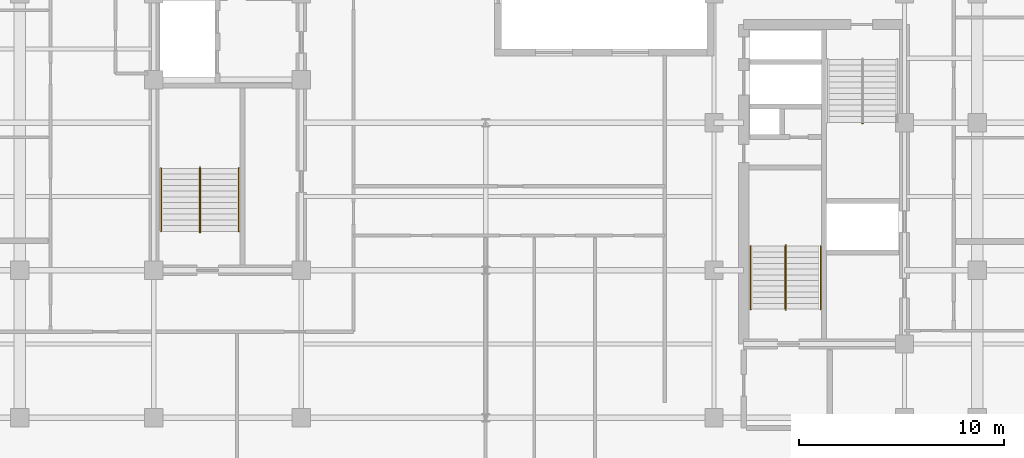
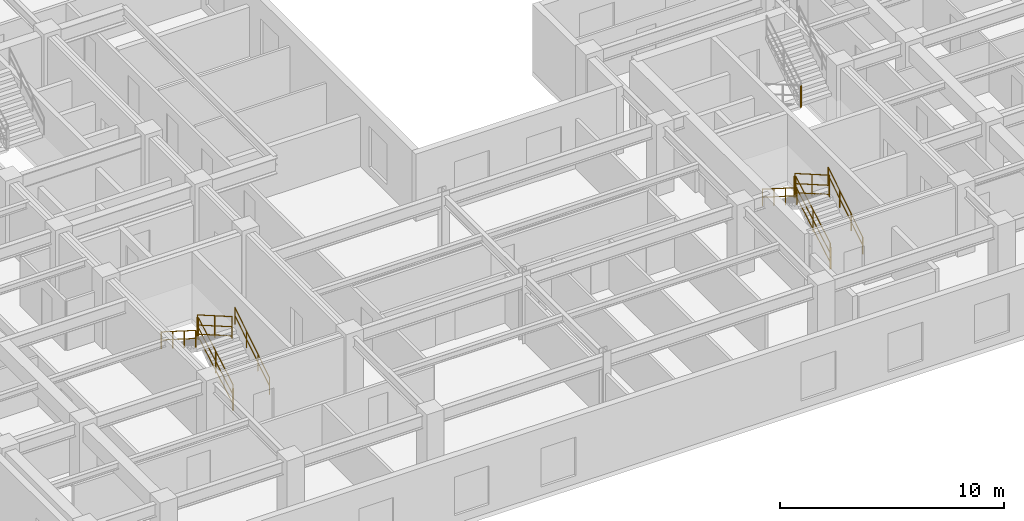
# One storey, part 9 of 11: 13 railings.
"""IFC4 building model written with IfcOpenShell, lengths in metres."""

from ifc_helpers import new_model, entity, si_unit, converted_unit, direction, frame, origin_with_axes, origin_2d_with_axis, place, context, subcontext, project, spatial, rectangle, circle, extrude, material, type_object, element, save


model = new_model("IFC4")

# Units and contexts
model_context = context("Model", 3, precision=1e-05, world=origin_with_axes(), true_north=direction((0.0, 1.0)))
body_context = subcontext(model_context, "Body", "Model", "MODEL_VIEW")
ifc_project = project(units=[si_unit("LENGTHUNIT", "METRE"), si_unit("AREAUNIT", "SQUARE_METRE"), si_unit("VOLUMEUNIT", "CUBIC_METRE"), converted_unit("PLANEANGLEUNIT", "DEGREE", entity("IfcPlaneAngleMeasure", 0.017453292519943295), si_unit("PLANEANGLEUNIT", "RADIAN"), dimensions=[0, 0, 0, 0, 0, 0, 0]), si_unit("MASSUNIT", "GRAM", prefix="KILO"), si_unit("THERMODYNAMICTEMPERATUREUNIT", "KELVIN")], contexts=[model_context])

# Site, building, storey
site_placement = place(None, origin_with_axes())
site = spatial("IfcSite", under=ifc_project, at=site_placement, CompositionType="ELEMENT")
building_placement = place(site_placement, origin_with_axes())
building = spatial("IfcBuilding", under=site, at=building_placement, Name="Varnlund Millrace Tower", CompositionType="ELEMENT")
storey_placement = place(building_placement, frame((0.0, 0.0, 196.5), z_axis=(0.0, 0.0, 1.0), x_axis=(1.0, 0.0, 0.0)))
storey = spatial("IfcBuildingStorey", under=building, at=storey_placement, Name="L48", CompositionType="ELEMENT", Elevation=196.5)

# Railings
ifc_material_1 = material(Name="Painted steel stair well balustrade guard", Category="steel")
railing_type_1 = type_object("IfcRailingType", Name="Type-StairGuard-1150", PredefinedType="GUARDRAIL", material=ifc_material_1)
railing_1_placement = place(storey_placement, frame((0.0, 0.0, -196.5), z_axis=(0.0, 0.0, 1.0), x_axis=(1.0, 0.0, 0.0)))
element("IfcRailing", 1, at=railing_1_placement, inside=storey, type_object=railing_type_1, Name="Type-StairGuard-1150", PredefinedType="GUARDRAIL", context=body_context, shape_type="SweptSolid", body=[
    extrude(circle(Radius=0.024, at=origin_2d_with_axis()), frame((13.675, 12.7, 197.827273), z_axis=(0.0, 0.866696, 0.498836), x_axis=(-1.0, 0.0, 0.0)), (0.0, 0.0, 1.0), 3.553725),
    extrude(circle(Radius=0.024, at=origin_2d_with_axis()), frame((13.675, 12.7, 196.777273), z_axis=(0.0, 0.866696, 0.498836), x_axis=(-1.0, 0.0, 0.0)), (0.0, 0.0, 1.0), 3.553725),
    extrude(circle(Radius=0.024, at=origin_2d_with_axis()), frame((13.675, 12.7, 197.275273), z_axis=(0.0, 0.866696, 0.498836), x_axis=(-1.0, 0.0, 0.0)), (0.0, 0.0, 1.0), 3.553725),
    extrude(rectangle(XDim=0.04, YDim=0.04, at=origin_2d_with_axis()), frame((13.675, 12.7, 196.637273), z_axis=(0.0, 0.0, 1.0), x_axis=(1.0, 0.0, 0.0)), (0.0, 0.0, 1.0), 1.19),
    extrude(rectangle(XDim=0.04, YDim=0.04, at=origin_2d_with_axis()), frame((13.675, 14.24, 197.523637), z_axis=(0.0, 0.0, 1.0), x_axis=(1.0, 0.0, 0.0)), (0.0, 0.0, 1.0), 1.19),
    extrude(rectangle(XDim=0.04, YDim=0.04, at=origin_2d_with_axis()), frame((13.675, 15.78, 198.41), z_axis=(0.0, 0.0, 1.0), x_axis=(1.0, 0.0, 0.0)), (0.0, 0.0, 1.0), 1.19),
])
railing_2_placement = place(storey_placement, frame((0.0, 0.0, -196.5), z_axis=(0.0, 0.0, 1.0), x_axis=(1.0, 0.0, 0.0)))
element("IfcRailing", 2, at=railing_2_placement, inside=storey, type_object=railing_type_1, Name="Type-StairGuard-1150", PredefinedType="GUARDRAIL", context=body_context, shape_type="SweptSolid", body=[
    extrude(circle(Radius=0.024, at=origin_2d_with_axis()), frame((13.625, 15.83, 199.6), z_axis=(1.0, 0.0, 0.0), x_axis=(0.0, 1.0, 0.0)), (0.0, 0.0, 1.0), 0.05),
    extrude(circle(Radius=0.024, at=origin_2d_with_axis()), frame((13.625, 15.83, 198.55), z_axis=(1.0, 0.0, 0.0), x_axis=(0.0, 1.0, 0.0)), (0.0, 0.0, 1.0), 0.05),
    extrude(circle(Radius=0.024, at=origin_2d_with_axis()), frame((13.625, 15.83, 199.048), z_axis=(1.0, 0.0, 0.0), x_axis=(0.0, 1.0, 0.0)), (0.0, 0.0, 1.0), 0.05),
    extrude(rectangle(XDim=0.04, YDim=0.04, at=origin_2d_with_axis()), frame((13.625, 15.83, 198.41), z_axis=(0.0, 0.0, 1.0), x_axis=(1.0, 0.0, 0.0)), (0.0, 0.0, 1.0), 1.19),
    extrude(rectangle(XDim=0.04, YDim=0.04, at=origin_2d_with_axis()), frame((13.675, 15.83, 198.41), z_axis=(0.0, 0.0, 1.0), x_axis=(1.0, 0.0, 0.0)), (0.0, 0.0, 1.0), 1.19),
])
railing_3_placement = place(storey_placement, frame((0.0, 0.0, -196.5), z_axis=(0.0, 0.0, 1.0), x_axis=(1.0, 0.0, 0.0)))
element("IfcRailing", 3, at=railing_3_placement, inside=storey, type_object=railing_type_1, Name="Type-StairGuard-1150", PredefinedType="GUARDRAIL", context=body_context, shape_type="SweptSolid", body=[
    extrude(circle(Radius=0.024, at=origin_2d_with_axis()), frame((13.625, 15.78, 199.777273), z_axis=(0.0, -0.866696, 0.498836), x_axis=(1.0, 0.0, 0.0)), (0.0, 0.0, 1.0), 3.553725),
    extrude(circle(Radius=0.024, at=origin_2d_with_axis()), frame((13.625, 15.78, 198.727273), z_axis=(0.0, -0.866696, 0.498836), x_axis=(1.0, 0.0, 0.0)), (0.0, 0.0, 1.0), 3.553725),
    extrude(circle(Radius=0.024, at=origin_2d_with_axis()), frame((13.625, 15.78, 199.225273), z_axis=(0.0, -0.866696, 0.498836), x_axis=(1.0, 0.0, 0.0)), (0.0, 0.0, 1.0), 3.553725),
    extrude(rectangle(XDim=0.04, YDim=0.04, at=origin_2d_with_axis()), frame((13.625, 15.78, 198.587273), z_axis=(0.0, 0.0, 1.0), x_axis=(1.0, 0.0, 0.0)), (0.0, 0.0, 1.0), 1.19),
    extrude(rectangle(XDim=0.04, YDim=0.04, at=origin_2d_with_axis()), frame((13.625, 14.24, 199.473637), z_axis=(0.0, 0.0, 1.0), x_axis=(1.0, 0.0, 0.0)), (0.0, 0.0, 1.0), 1.19),
    extrude(rectangle(XDim=0.04, YDim=0.04, at=origin_2d_with_axis()), frame((13.625, 12.7, 200.36), z_axis=(0.0, 0.0, 1.0), x_axis=(1.0, 0.0, 0.0)), (0.0, 0.0, 1.0), 1.19),
])
railing_4_placement = place(storey_placement, frame((0.0, 0.0, -196.5), z_axis=(0.0, 0.0, 1.0), x_axis=(1.0, 0.0, 0.0)))
element("IfcRailing", 4, at=railing_4_placement, inside=storey, type_object=railing_type_1, Name="Type-StairGuard-1150", PredefinedType="GUARDRAIL", context=body_context, shape_type="SweptSolid", body=[
    extrude(circle(Radius=0.024, at=origin_2d_with_axis()), frame((13.625, 12.65, 197.65), z_axis=(1.0, 0.0, 0.0), x_axis=(0.0, 1.0, 0.0)), (0.0, 0.0, 1.0), 0.05),
    extrude(circle(Radius=0.024, at=origin_2d_with_axis()), frame((13.625, 12.65, 196.6), z_axis=(1.0, 0.0, 0.0), x_axis=(0.0, 1.0, 0.0)), (0.0, 0.0, 1.0), 0.05),
    extrude(circle(Radius=0.024, at=origin_2d_with_axis()), frame((13.625, 12.65, 197.098), z_axis=(1.0, 0.0, 0.0), x_axis=(0.0, 1.0, 0.0)), (0.0, 0.0, 1.0), 0.05),
    extrude(rectangle(XDim=0.04, YDim=0.04, at=origin_2d_with_axis()), frame((13.625, 12.65, 196.46), z_axis=(0.0, 0.0, 1.0), x_axis=(1.0, 0.0, 0.0)), (0.0, 0.0, 1.0), 1.19),
    extrude(rectangle(XDim=0.04, YDim=0.04, at=origin_2d_with_axis()), frame((13.675, 12.65, 196.46), z_axis=(0.0, 0.0, 1.0), x_axis=(1.0, 0.0, 0.0)), (0.0, 0.0, 1.0), 1.19),
])
railing_5_placement = place(storey_placement, frame((0.0, 0.0, -196.5), z_axis=(0.0, 0.0, 1.0), x_axis=(1.0, 0.0, 0.0)))
element("IfcRailing", 5, at=railing_5_placement, inside=storey, type_object=railing_type_1, Name="Type-StairGuard-1150", PredefinedType="GUARDRAIL", context=body_context, shape_type="SweptSolid", body=[
    extrude(circle(Radius=0.024, at=origin_2d_with_axis()), frame((42.275, 8.9, 197.827273), z_axis=(0.0, 0.866696, 0.498836), x_axis=(-1.0, 0.0, 0.0)), (0.0, 0.0, 1.0), 3.553725),
    extrude(circle(Radius=0.024, at=origin_2d_with_axis()), frame((42.275, 8.9, 196.777273), z_axis=(0.0, 0.866696, 0.498836), x_axis=(-1.0, 0.0, 0.0)), (0.0, 0.0, 1.0), 3.553725),
    extrude(circle(Radius=0.024, at=origin_2d_with_axis()), frame((42.275, 8.9, 197.275273), z_axis=(0.0, 0.866696, 0.498836), x_axis=(-1.0, 0.0, 0.0)), (0.0, 0.0, 1.0), 3.553725),
    extrude(rectangle(XDim=0.04, YDim=0.04, at=origin_2d_with_axis()), frame((42.275, 8.9, 196.637273), z_axis=(0.0, 0.0, 1.0), x_axis=(1.0, 0.0, 0.0)), (0.0, 0.0, 1.0), 1.19),
    extrude(rectangle(XDim=0.04, YDim=0.04, at=origin_2d_with_axis()), frame((42.275, 10.44, 197.523637), z_axis=(0.0, 0.0, 1.0), x_axis=(1.0, 0.0, 0.0)), (0.0, 0.0, 1.0), 1.19),
    extrude(rectangle(XDim=0.04, YDim=0.04, at=origin_2d_with_axis()), frame((42.275, 11.98, 198.41), z_axis=(0.0, 0.0, 1.0), x_axis=(1.0, 0.0, 0.0)), (0.0, 0.0, 1.0), 1.19),
])
railing_6_placement = place(storey_placement, frame((0.0, 0.0, -196.5), z_axis=(0.0, 0.0, 1.0), x_axis=(1.0, 0.0, 0.0)))
element("IfcRailing", 6, at=railing_6_placement, inside=storey, type_object=railing_type_1, Name="Type-StairGuard-1150", PredefinedType="GUARDRAIL", context=body_context, shape_type="SweptSolid", body=[
    extrude(circle(Radius=0.024, at=origin_2d_with_axis()), frame((42.225, 12.03, 199.6), z_axis=(1.0, 0.0, 0.0), x_axis=(0.0, 1.0, 0.0)), (0.0, 0.0, 1.0), 0.05),
    extrude(circle(Radius=0.024, at=origin_2d_with_axis()), frame((42.225, 12.03, 198.55), z_axis=(1.0, 0.0, 0.0), x_axis=(0.0, 1.0, 0.0)), (0.0, 0.0, 1.0), 0.05),
    extrude(circle(Radius=0.024, at=origin_2d_with_axis()), frame((42.225, 12.03, 199.048), z_axis=(1.0, 0.0, 0.0), x_axis=(0.0, 1.0, 0.0)), (0.0, 0.0, 1.0), 0.05),
    extrude(rectangle(XDim=0.04, YDim=0.04, at=origin_2d_with_axis()), frame((42.225, 12.03, 198.41), z_axis=(0.0, 0.0, 1.0), x_axis=(1.0, 0.0, 0.0)), (0.0, 0.0, 1.0), 1.19),
    extrude(rectangle(XDim=0.04, YDim=0.04, at=origin_2d_with_axis()), frame((42.275, 12.03, 198.41), z_axis=(0.0, 0.0, 1.0), x_axis=(1.0, 0.0, 0.0)), (0.0, 0.0, 1.0), 1.19),
])
railing_7_placement = place(storey_placement, frame((0.0, 0.0, -196.5), z_axis=(0.0, 0.0, 1.0), x_axis=(1.0, 0.0, 0.0)))
element("IfcRailing", 7, at=railing_7_placement, inside=storey, type_object=railing_type_1, Name="Type-StairGuard-1150", PredefinedType="GUARDRAIL", context=body_context, shape_type="SweptSolid", body=[
    extrude(circle(Radius=0.024, at=origin_2d_with_axis()), frame((42.225, 11.98, 199.777273), z_axis=(0.0, -0.866696, 0.498836), x_axis=(1.0, 0.0, 0.0)), (0.0, 0.0, 1.0), 3.553725),
    extrude(circle(Radius=0.024, at=origin_2d_with_axis()), frame((42.225, 11.98, 198.727273), z_axis=(0.0, -0.866696, 0.498836), x_axis=(1.0, 0.0, 0.0)), (0.0, 0.0, 1.0), 3.553725),
    extrude(circle(Radius=0.024, at=origin_2d_with_axis()), frame((42.225, 11.98, 199.225273), z_axis=(0.0, -0.866696, 0.498836), x_axis=(1.0, 0.0, 0.0)), (0.0, 0.0, 1.0), 3.553725),
    extrude(rectangle(XDim=0.04, YDim=0.04, at=origin_2d_with_axis()), frame((42.225, 11.98, 198.587273), z_axis=(0.0, 0.0, 1.0), x_axis=(1.0, 0.0, 0.0)), (0.0, 0.0, 1.0), 1.19),
    extrude(rectangle(XDim=0.04, YDim=0.04, at=origin_2d_with_axis()), frame((42.225, 10.44, 199.473637), z_axis=(0.0, 0.0, 1.0), x_axis=(1.0, 0.0, 0.0)), (0.0, 0.0, 1.0), 1.19),
    extrude(rectangle(XDim=0.04, YDim=0.04, at=origin_2d_with_axis()), frame((42.225, 8.9, 200.36), z_axis=(0.0, 0.0, 1.0), x_axis=(1.0, 0.0, 0.0)), (0.0, 0.0, 1.0), 1.19),
])
railing_8_placement = place(storey_placement, frame((0.0, 0.0, -196.5), z_axis=(0.0, 0.0, 1.0), x_axis=(1.0, 0.0, 0.0)))
element("IfcRailing", 8, at=railing_8_placement, inside=storey, type_object=railing_type_1, Name="Type-StairGuard-1150", PredefinedType="GUARDRAIL", context=body_context, shape_type="SweptSolid", body=[
    extrude(circle(Radius=0.024, at=origin_2d_with_axis()), frame((42.225, 8.85, 197.65), z_axis=(1.0, 0.0, 0.0), x_axis=(0.0, 1.0, 0.0)), (0.0, 0.0, 1.0), 0.05),
    extrude(circle(Radius=0.024, at=origin_2d_with_axis()), frame((42.225, 8.85, 196.6), z_axis=(1.0, 0.0, 0.0), x_axis=(0.0, 1.0, 0.0)), (0.0, 0.0, 1.0), 0.05),
    extrude(circle(Radius=0.024, at=origin_2d_with_axis()), frame((42.225, 8.85, 197.098), z_axis=(1.0, 0.0, 0.0), x_axis=(0.0, 1.0, 0.0)), (0.0, 0.0, 1.0), 0.05),
    extrude(rectangle(XDim=0.04, YDim=0.04, at=origin_2d_with_axis()), frame((42.225, 8.85, 196.46), z_axis=(0.0, 0.0, 1.0), x_axis=(1.0, 0.0, 0.0)), (0.0, 0.0, 1.0), 1.19),
    extrude(rectangle(XDim=0.04, YDim=0.04, at=origin_2d_with_axis()), frame((42.275, 8.85, 196.46), z_axis=(0.0, 0.0, 1.0), x_axis=(1.0, 0.0, 0.0)), (0.0, 0.0, 1.0), 1.19),
])
railing_9_placement = place(storey_placement, frame((0.0, 0.0, -196.5), z_axis=(0.0, 0.0, 1.0), x_axis=(1.0, 0.0, 0.0)))
element("IfcRailing", 9, at=railing_9_placement, inside=storey, type_object=railing_type_1, Name="Type-StairGuard-1150", PredefinedType="GUARDRAIL", context=body_context, shape_type="SweptSolid", body=[
    extrude(circle(Radius=0.024, at=origin_2d_with_axis()), frame((46.025, 17.97, 199.6), z_axis=(-1.0, 0.0, 0.0), x_axis=(0.0, -1.0, 0.0)), (0.0, 0.0, 1.0), 0.05),
    extrude(circle(Radius=0.024, at=origin_2d_with_axis()), frame((46.025, 17.97, 198.55), z_axis=(-1.0, 0.0, 0.0), x_axis=(0.0, -1.0, 0.0)), (0.0, 0.0, 1.0), 0.05),
    extrude(circle(Radius=0.024, at=origin_2d_with_axis()), frame((46.025, 17.97, 199.048), z_axis=(-1.0, 0.0, 0.0), x_axis=(0.0, -1.0, 0.0)), (0.0, 0.0, 1.0), 0.05),
    extrude(rectangle(XDim=0.04, YDim=0.04, at=origin_2d_with_axis()), frame((46.025, 17.97, 198.41), z_axis=(0.0, 0.0, 1.0), x_axis=(1.0, 0.0, 0.0)), (0.0, 0.0, 1.0), 1.19),
    extrude(rectangle(XDim=0.04, YDim=0.04, at=origin_2d_with_axis()), frame((45.975, 17.97, 198.41), z_axis=(0.0, 0.0, 1.0), x_axis=(1.0, 0.0, 0.0)), (0.0, 0.0, 1.0), 1.19),
])
ifc_material_2 = material(Name="Brushed architectural bronze stair handrail", Category="aluminium")
railing_type_2 = type_object("IfcRailingType", Name="Type-StairHandrail-900", PredefinedType="HANDRAIL", material=ifc_material_2)
railing_10_placement = place(storey_placement, frame((0.0, 0.0, -196.5), z_axis=(0.0, 0.0, 1.0), x_axis=(1.0, 0.0, 0.0)))
element("IfcRailing", 10, at=railing_10_placement, inside=storey, type_object=railing_type_2, Name="Type-StairHandrail-900", PredefinedType="HANDRAIL", context=body_context, shape_type="SweptSolid", body=[
    extrude(circle(Radius=0.024, at=origin_2d_with_axis()), frame((15.55, 12.7, 197.556995), z_axis=(0.0, 0.844902, 0.534922), x_axis=(-1.0, 0.0, 0.0)), (0.0, 0.0, 1.0), 3.645394),
    extrude(circle(Radius=0.024, at=origin_2d_with_axis()), frame((15.55, 12.7, 197.117134), z_axis=(0.0, 0.844902, 0.534922), x_axis=(-1.0, 0.0, 0.0)), (0.0, 0.0, 1.0), 3.645394),
    extrude(rectangle(XDim=0.04, YDim=0.04, at=origin_2d_with_axis()), frame((15.55, 12.7, 196.637273), z_axis=(0.0, 0.0, 1.0), x_axis=(1.0, 0.0, 0.0)), (0.0, 0.0, 1.0), 0.919722),
    extrude(rectangle(XDim=0.04, YDim=0.04, at=origin_2d_with_axis()), frame((15.55, 13.726667, 197.287273), z_axis=(0.0, 0.0, 1.0), x_axis=(1.0, 0.0, 0.0)), (0.0, 0.0, 1.0), 0.919722),
    extrude(rectangle(XDim=0.04, YDim=0.04, at=origin_2d_with_axis()), frame((15.55, 14.753333, 197.937273), z_axis=(0.0, 0.0, 1.0), x_axis=(1.0, 0.0, 0.0)), (0.0, 0.0, 1.0), 0.919722),
    extrude(rectangle(XDim=0.04, YDim=0.04, at=origin_2d_with_axis()), frame((15.55, 15.78, 198.587273), z_axis=(0.0, 0.0, 1.0), x_axis=(1.0, 0.0, 0.0)), (0.0, 0.0, 1.0), 0.919722),
])
railing_11_placement = place(storey_placement, frame((0.0, 0.0, -196.5), z_axis=(0.0, 0.0, 1.0), x_axis=(1.0, 0.0, 0.0)))
element("IfcRailing", 11, at=railing_11_placement, inside=storey, type_object=railing_type_2, Name="Type-StairHandrail-900", PredefinedType="HANDRAIL", context=body_context, shape_type="SweptSolid", body=[
    extrude(circle(Radius=0.024, at=origin_2d_with_axis()), frame((11.75, 15.78, 199.506995), z_axis=(0.0, -0.844902, 0.534922), x_axis=(1.0, 0.0, 0.0)), (0.0, 0.0, 1.0), 3.645394),
    extrude(circle(Radius=0.024, at=origin_2d_with_axis()), frame((11.75, 15.78, 199.067134), z_axis=(0.0, -0.844902, 0.534922), x_axis=(1.0, 0.0, 0.0)), (0.0, 0.0, 1.0), 3.645394),
    extrude(rectangle(XDim=0.04, YDim=0.04, at=origin_2d_with_axis()), frame((11.75, 15.78, 198.587273), z_axis=(0.0, 0.0, 1.0), x_axis=(1.0, 0.0, 0.0)), (0.0, 0.0, 1.0), 0.919722),
    extrude(rectangle(XDim=0.04, YDim=0.04, at=origin_2d_with_axis()), frame((11.75, 14.753333, 199.237273), z_axis=(0.0, 0.0, 1.0), x_axis=(1.0, 0.0, 0.0)), (0.0, 0.0, 1.0), 0.919722),
    extrude(rectangle(XDim=0.04, YDim=0.04, at=origin_2d_with_axis()), frame((11.75, 13.726667, 199.887273), z_axis=(0.0, 0.0, 1.0), x_axis=(1.0, 0.0, 0.0)), (0.0, 0.0, 1.0), 0.919722),
    extrude(rectangle(XDim=0.04, YDim=0.04, at=origin_2d_with_axis()), frame((11.75, 12.7, 200.537273), z_axis=(0.0, 0.0, 1.0), x_axis=(1.0, 0.0, 0.0)), (0.0, 0.0, 1.0), 0.919722),
])
railing_12_placement = place(storey_placement, frame((0.0, 0.0, -196.5), z_axis=(0.0, 0.0, 1.0), x_axis=(1.0, 0.0, 0.0)))
element("IfcRailing", 12, at=railing_12_placement, inside=storey, type_object=railing_type_2, Name="Type-StairHandrail-900", PredefinedType="HANDRAIL", context=body_context, shape_type="SweptSolid", body=[
    extrude(circle(Radius=0.024, at=origin_2d_with_axis()), frame((43.95, 8.9, 197.556995), z_axis=(0.0, 0.844902, 0.534922), x_axis=(-1.0, 0.0, 0.0)), (0.0, 0.0, 1.0), 3.645394),
    extrude(circle(Radius=0.024, at=origin_2d_with_axis()), frame((43.95, 8.9, 197.117134), z_axis=(0.0, 0.844902, 0.534922), x_axis=(-1.0, 0.0, 0.0)), (0.0, 0.0, 1.0), 3.645394),
    extrude(rectangle(XDim=0.04, YDim=0.04, at=origin_2d_with_axis()), frame((43.95, 8.9, 196.637273), z_axis=(0.0, 0.0, 1.0), x_axis=(1.0, 0.0, 0.0)), (0.0, 0.0, 1.0), 0.919722),
    extrude(rectangle(XDim=0.04, YDim=0.04, at=origin_2d_with_axis()), frame((43.95, 9.926667, 197.287273), z_axis=(0.0, 0.0, 1.0), x_axis=(1.0, 0.0, 0.0)), (0.0, 0.0, 1.0), 0.919722),
    extrude(rectangle(XDim=0.04, YDim=0.04, at=origin_2d_with_axis()), frame((43.95, 10.953333, 197.937273), z_axis=(0.0, 0.0, 1.0), x_axis=(1.0, 0.0, 0.0)), (0.0, 0.0, 1.0), 0.919722),
    extrude(rectangle(XDim=0.04, YDim=0.04, at=origin_2d_with_axis()), frame((43.95, 11.98, 198.587273), z_axis=(0.0, 0.0, 1.0), x_axis=(1.0, 0.0, 0.0)), (0.0, 0.0, 1.0), 0.919722),
])
railing_13_placement = place(storey_placement, frame((0.0, 0.0, -196.5), z_axis=(0.0, 0.0, 1.0), x_axis=(1.0, 0.0, 0.0)))
element("IfcRailing", 13, at=railing_13_placement, inside=storey, type_object=railing_type_2, Name="Type-StairHandrail-900", PredefinedType="HANDRAIL", context=body_context, shape_type="SweptSolid", body=[
    extrude(circle(Radius=0.024, at=origin_2d_with_axis()), frame((40.55, 11.98, 199.506995), z_axis=(0.0, -0.844902, 0.534922), x_axis=(1.0, 0.0, 0.0)), (0.0, 0.0, 1.0), 3.645394),
    extrude(circle(Radius=0.024, at=origin_2d_with_axis()), frame((40.55, 11.98, 199.067134), z_axis=(0.0, -0.844902, 0.534922), x_axis=(1.0, 0.0, 0.0)), (0.0, 0.0, 1.0), 3.645394),
    extrude(rectangle(XDim=0.04, YDim=0.04, at=origin_2d_with_axis()), frame((40.55, 11.98, 198.587273), z_axis=(0.0, 0.0, 1.0), x_axis=(1.0, 0.0, 0.0)), (0.0, 0.0, 1.0), 0.919722),
    extrude(rectangle(XDim=0.04, YDim=0.04, at=origin_2d_with_axis()), frame((40.55, 10.953333, 199.237273), z_axis=(0.0, 0.0, 1.0), x_axis=(1.0, 0.0, 0.0)), (0.0, 0.0, 1.0), 0.919722),
    extrude(rectangle(XDim=0.04, YDim=0.04, at=origin_2d_with_axis()), frame((40.55, 9.926667, 199.887273), z_axis=(0.0, 0.0, 1.0), x_axis=(1.0, 0.0, 0.0)), (0.0, 0.0, 1.0), 0.919722),
    extrude(rectangle(XDim=0.04, YDim=0.04, at=origin_2d_with_axis()), frame((40.55, 8.9, 200.537273), z_axis=(0.0, 0.0, 1.0), x_axis=(1.0, 0.0, 0.0)), (0.0, 0.0, 1.0), 0.919722),
])

save(model, "model.ifc")
